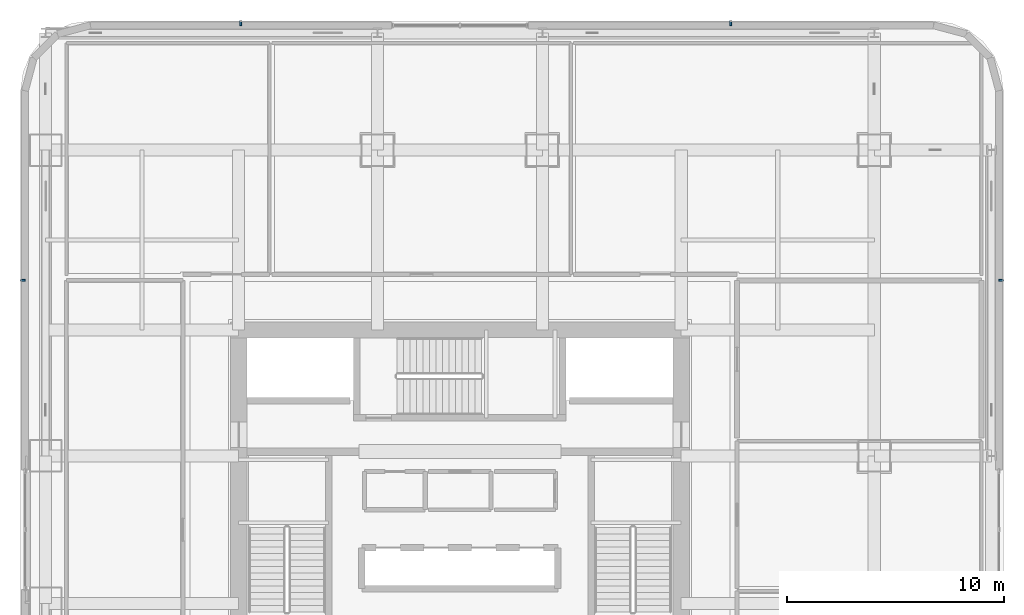
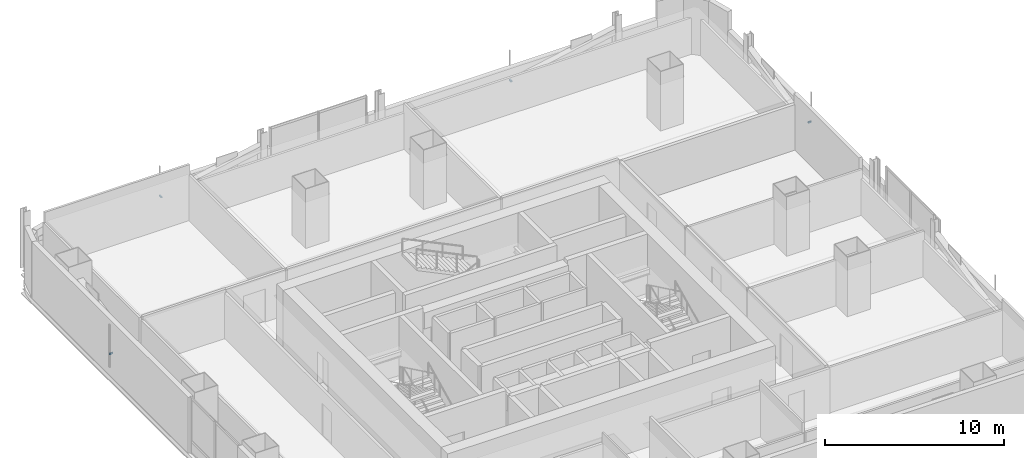
# One storey, part 16 of 28: 4 discrete accessories.
"""IFC4 building model written with IfcOpenShell, lengths in metres."""

from ifc_helpers import new_model, si_unit, direction, frame, origin, origin_2d, place, context, subcontext, project, spatial, rectangle, extrude, material, type_object, element, save


model = new_model("IFC4")

# Units and contexts
model_context = context("Model", 3, precision=1e-05, world=origin(), true_north=direction((0.0, 1.0)))
body_context = subcontext(model_context, "Body", "Model", "MODEL_VIEW")
ifc_project = project(units=[si_unit("LENGTHUNIT", "METRE"), si_unit("AREAUNIT", "SQUARE_METRE"), si_unit("VOLUMEUNIT", "CUBIC_METRE"), si_unit("PLANEANGLEUNIT", "RADIAN"), si_unit("MASSUNIT", "GRAM", prefix="KILO")], contexts=[model_context])

# Site, building, storey
site_placement = place(None, origin())
site = spatial("IfcSite", under=ifc_project, at=site_placement, CompositionType="ELEMENT")
building_placement = place(site_placement, origin())
building = spatial("IfcBuilding", under=site, at=building_placement, Name="Punatoya Terracotta Tower", CompositionType="ELEMENT")
storey_placement = place(building_placement, frame((0.0, 0.0, 93.0)))
storey = spatial("IfcBuildingStorey", under=building, at=storey_placement, Name="L21", CompositionType="ELEMENT", Elevation=93.0)

# Discrete accessories
ifc_material = material(Name="Steel S355", Category="steel")
discrete_accessory_type = type_object("IfcDiscreteAccessoryType", Name="ACC-BRK-220", PredefinedType="BRACKET", material=ifc_material)
for number, where, z_axis, x_axis, name in (
    (1, (24.949951171875, 11.493408203125, 1.449951171875), (0.0, 0.0, 1.0), (0.0, 1.0, 0.0), "L21 Jali Fin Support Bracket E2"),
    (2, (12.493408203125, 23.35009765625, 1.449951171875), (0.0, 0.0, 1.0), (-1.0, 0.0, 0.0), "L21 Jali Fin Support Bracket N1"),
    (3, (-10.093505859375, 23.35009765625, 1.449951171875), (0.0, 0.0, 1.0), (-1.0, 0.0, 0.0), "L21 Jali Fin Support Bracket N2"),
    (4, (-20.14990234375, 11.493408203125, 1.449951171875), (0.0, 0.0, 1.0), (0.0, -1.0, 0.0), "L21 Jali Fin Support Bracket W1"),
):
    element("IfcDiscreteAccessory", number, at=place(storey_placement, frame(where, z_axis=z_axis, x_axis=x_axis)), inside=storey, type_object=discrete_accessory_type, Name=name, PredefinedType="BRACKET", context=body_context, shape_type="SweptSolid", body=[
        extrude(rectangle(XDim=0.090087890625, YDim=0.219970703125, at=origin_2d()), origin(), (0.0, 0.0, 1.0), 0.10009765625),
    ])

save(model, "model.ifc")
